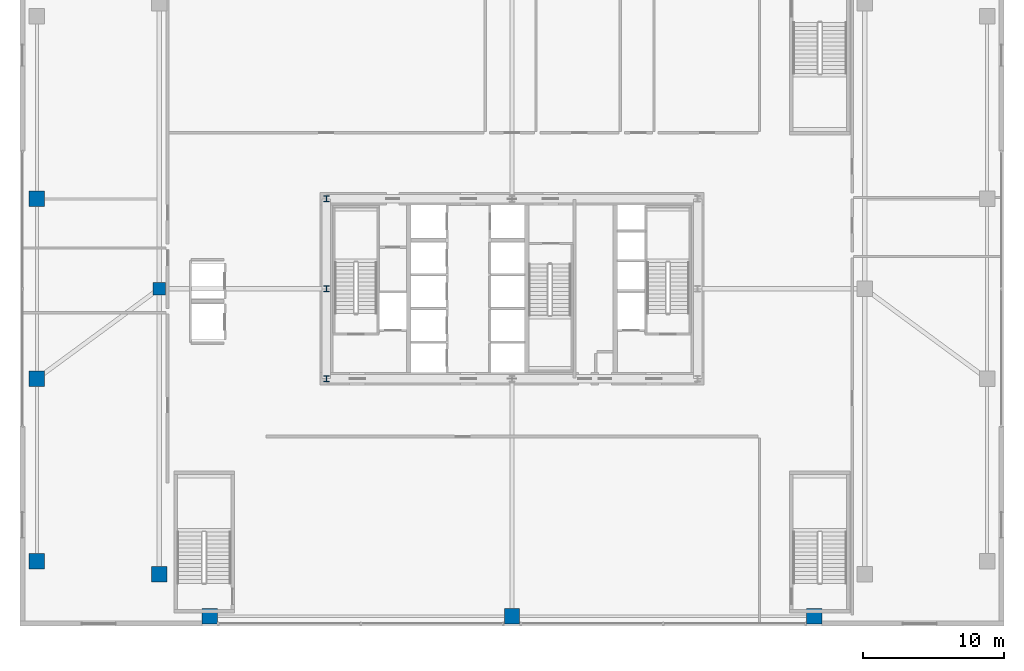
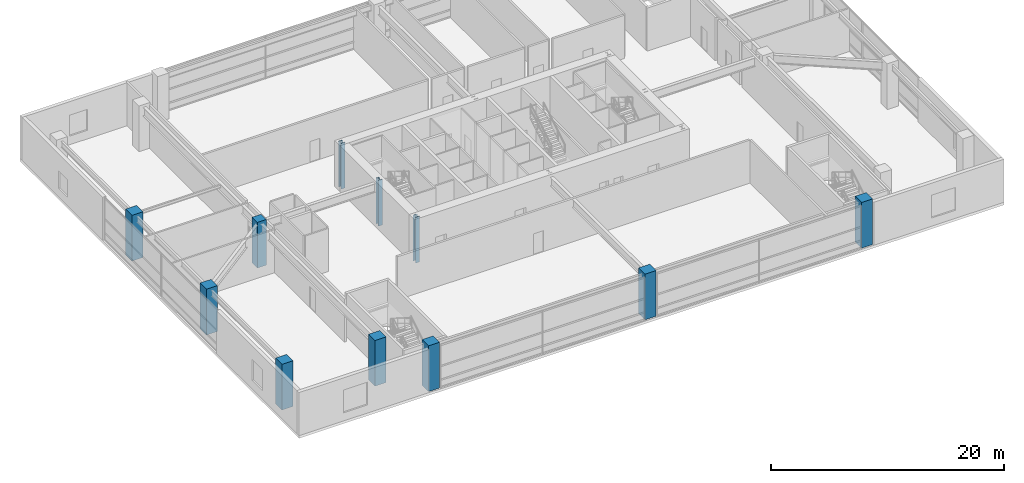
# One storey, part 1 of 38: 11 columns.
"""IFC4 building model written with IfcOpenShell, lengths in metres."""

from ifc_helpers import new_model, si_unit, direction, frame, origin, origin_2d, place, context, subcontext, project, spatial, rectangle, i_section, extrude, source, transform, mapped, material, material_profile, profile_set, type_object, element, save


model = new_model("IFC4")

# Units and contexts
model_context = context("Model", 3, precision=1e-05, world=origin(), true_north=direction((0.0, 1.0)))
body_context = subcontext(model_context, "Body", "Model", "MODEL_VIEW")
ifc_project = project(units=[si_unit("LENGTHUNIT", "METRE"), si_unit("AREAUNIT", "SQUARE_METRE"), si_unit("VOLUMEUNIT", "CUBIC_METRE"), si_unit("PLANEANGLEUNIT", "RADIAN"), si_unit("MASSUNIT", "GRAM", prefix="KILO"), si_unit("THERMODYNAMICTEMPERATUREUNIT", "KELVIN"), si_unit("POWERUNIT", "WATT")], contexts=[model_context])

# Site, building, storey
site_placement = place(None, origin())
site = spatial("IfcSite", under=ifc_project, at=site_placement, CompositionType="ELEMENT")
building_placement = place(site_placement, origin())
building = spatial("IfcBuilding", under=site, at=building_placement, Name="Yuzanri Waterfront Tower", CompositionType="ELEMENT")
storey_placement = place(building_placement, frame((0.0, 0.0, 10.199951171875)))
storey = spatial("IfcBuildingStorey", under=building, at=storey_placement, Name="L03", CompositionType="ELEMENT", Elevation=10.199951171875)

# Columns
ifc_material_1 = material(Name="Steel Q355B", Category="steel")
ifc_material_profile_1 = material_profile(ifc_material_1, i_section(OverallWidth=0.406982421875, OverallDepth=0.427978515625, WebThickness=0.02001953125, FlangeThickness=0.034912109375, at=origin_2d()), Name="HW 428x407x20x35")
ifc_profile_set_1 = profile_set([ifc_material_profile_1], Name="Steel Q355B")
column_type_1 = type_object("IfcColumnType", Name="Core Post Q355B HW 428x407x20x35", PredefinedType="COLUMN", material=ifc_profile_set_1)
shared_shape_1 = source(origin(), body_context, "Body", "SweptSolid", [
    extrude(i_section(OverallWidth=0.406982421875, OverallDepth=0.427978515625, WebThickness=0.02001953125, FlangeThickness=0.034912109375, at=origin_2d()), origin(), (0.0, 0.0, 1.0), 4.800048828125),
])
for number, where, z_axis, x_axis, name in (
    (1, (23.800048828125, 19.39990234375, 0.0), (0.0, 0.0, 1.0), (1.0, 0.0, 0.0), "L03 Core Boundary Column CP1"),
    (2, (23.800048828125, 25.800048828125, 0.0), (0.0, 0.0, 1.0), (1.0, 0.0, 0.0), "L03 Core Boundary Column CP4"),
    (3, (23.800048828125, 32.199951171875, 0.0), (0.0, 0.0, 1.0), (1.0, 0.0, 0.0), "L03 Core Boundary Column CP6"),
):
    element("IfcColumn", number, at=place(storey_placement, frame(where, z_axis=z_axis, x_axis=x_axis)), inside=storey, type_object=column_type_1, Name=name, PredefinedType="COLUMN", context=body_context, shape_type="MappedRepresentation", body=[
        mapped(shared_shape_1, transform((0.0, 0.0, 0.0), scale=1.0)),
    ])
ifc_material_2 = material(Name="Concrete C50", Category="concrete")
ifc_material_profile_2 = material_profile(ifc_material_2, rectangle(XDim=1.10009765625, YDim=1.10009765625, at=origin_2d()), Name="RC 1100x1100")
ifc_profile_set_2 = profile_set([ifc_material_profile_2], Name="Concrete C50")
column_type_2 = type_object("IfcColumnType", Name="Podium RC Column C50 1100x1100", PredefinedType="COLUMN", material=ifc_profile_set_2)
shared_shape_2 = source(origin(), body_context, "Body", "SweptSolid", [
    extrude(rectangle(XDim=1.10009765625, YDim=1.10009765625, at=origin_2d()), origin(), (0.0, 0.0, 1.0), 4.800048828125),
])
for number, where, z_axis, x_axis, name in (
    (4, (3.199951171875, 6.39990234375, 0.0), (0.0, 0.0, 1.0), (1.0, 0.0, 0.0), "L03 Podium Column PW1"),
    (5, (3.199951171875, 19.39990234375, 0.0), (0.0, 0.0, 1.0), (1.0, 0.0, 0.0), "L03 Podium Column PW2"),
    (6, (3.199951171875, 32.199951171875, 0.0), (0.0, 0.0, 1.0), (1.0, 0.0, 0.0), "L03 Podium Column PW3"),
    (7, (11.89990234375, 5.5, 0.0), (0.0, 0.0, 1.0), (1.0, 0.0, 0.0), "L03 Podium Column PTW1"),
    (8, (15.5, 2.5, 0.0), (0.0, 0.0, 1.0), (1.0, 0.0, 0.0), "L03 Podium Column PTS1"),
    (9, (37.0, 2.5, 0.0), (0.0, 0.0, 1.0), (1.0, 0.0, 0.0), "L03 Podium Column PTS2"),
    (10, (58.5, 2.5, 0.0), (0.0, 0.0, 1.0), (1.0, 0.0, 0.0), "L03 Podium Column PTS3"),
):
    element("IfcColumn", number, at=place(storey_placement, frame(where, z_axis=z_axis, x_axis=x_axis)), inside=storey, type_object=column_type_2, Name=name, PredefinedType="COLUMN", context=body_context, shape_type="MappedRepresentation", body=[
        mapped(shared_shape_2, transform((0.0, 0.0, 0.0), scale=1.0)),
    ])
ifc_material_3 = material(Name="Concrete C50", Category="concrete")
ifc_material_profile_3 = material_profile(ifc_material_3, rectangle(XDim=0.89990234375, YDim=0.89990234375, at=origin_2d()), Name="RC 900x900")
ifc_profile_set_3 = profile_set([ifc_material_profile_3], Name="Concrete C50")
column_type_3 = type_object("IfcColumnType", Name="Basement RC Column C50 900x900", PredefinedType="COLUMN", material=ifc_profile_set_3)
shared_shape_3 = source(origin(), body_context, "Body", "SweptSolid", [
    extrude(rectangle(XDim=0.89990234375, YDim=0.89990234375, at=origin_2d()), origin(), (0.0, 0.0, 1.0), 4.800048828125),
])
column_placement = place(storey_placement, frame((11.89990234375, 25.800048828125, 0.0), z_axis=(0.0, 0.0, 1.0), x_axis=(1.0, 0.0, 0.0)))
element("IfcColumn", 11, at=column_placement, inside=storey, type_object=column_type_3, Name="L03 Podium Ballroom-Under Column PTW2", PredefinedType="COLUMN", context=body_context, shape_type="MappedRepresentation", body=[
    mapped(shared_shape_3, transform((0.0, 0.0, 0.0), scale=1.0)),
])

save(model, "model.ifc")
